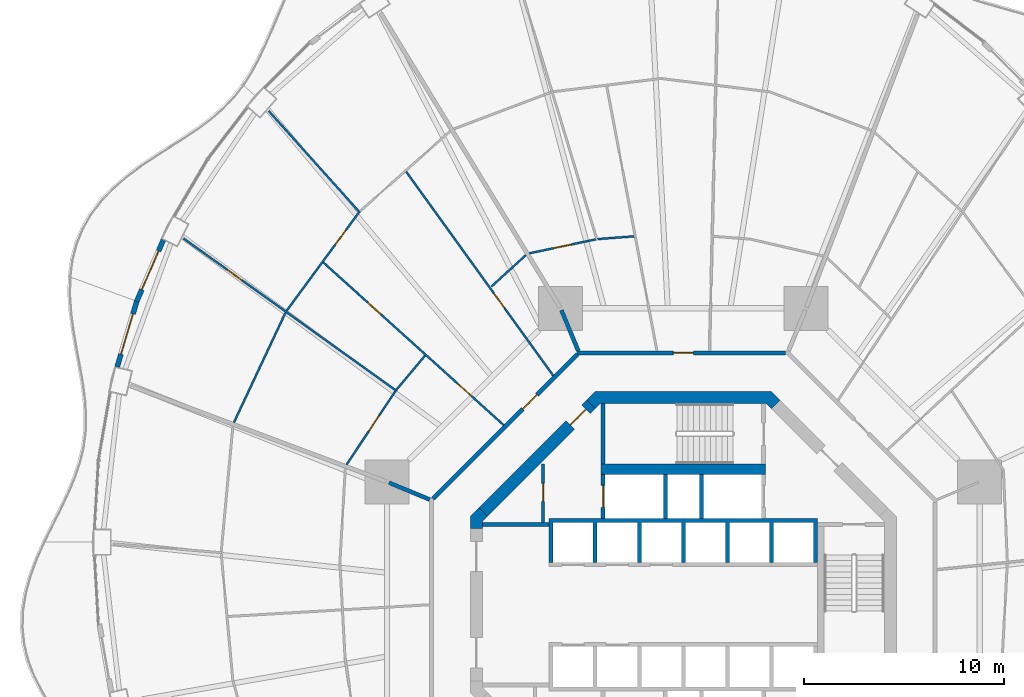
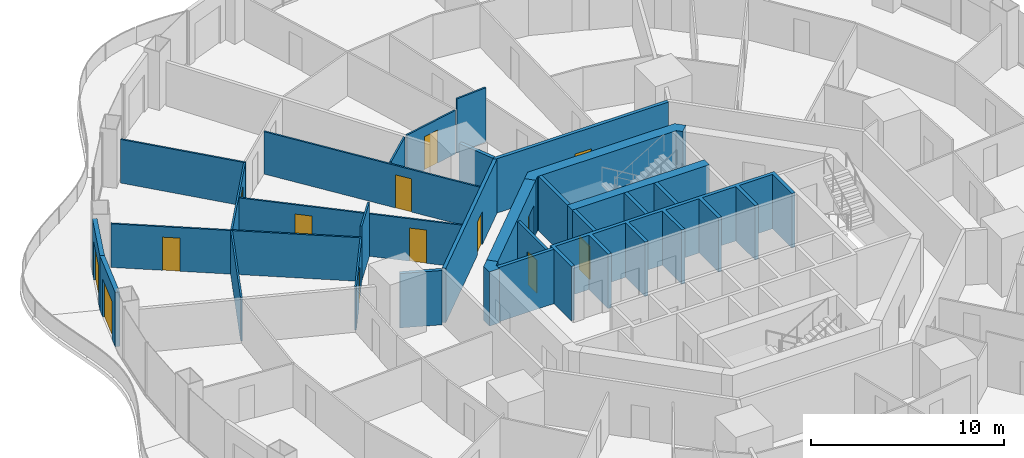
# One storey, part 17 of 22: 28 walls, 14 doors, 14 openings.
"""IFC4 building model written with IfcOpenShell, lengths in metres."""

import ifcopenshell
import ifcopenshell.guid

model = None  # the IFC model being written
_history = None  # IfcOwnerHistory: only IFC2X3 demands one
_inside = {}  # id of a spatial element -> (the spatial element, [elements in it])
_under = {}  # id of a project, library or spatial element -> (it, [spatial elements below it])
_declared = {}  # id of a project -> (the project, [libraries it declares])
_typed = {}  # id of a type object -> (the type object, [elements of that type])
_made_of = {}  # id of a material, layer set ... -> (it, [elements and type objects made of it])


def new_model(schema):
    """Start an empty IFC model of exactly this schema.

    Asked for "IFC4X3", IfcOpenShell would pick the latest addendum, in which some entities
    have other attributes; the version numbers below select the first issue.
    IFC2X3 requires an IfcOwnerHistory on every rooted entity: one is made here for all.
    """
    global model, _history
    if schema == "IFC4X3":
        model = ifcopenshell.file(schema_version=(4, 3, 0, 0))
    else:
        model = ifcopenshell.file(schema=schema)
    _inside.clear()
    _under.clear()
    _declared.clear()
    _typed.clear()
    _made_of.clear()
    _history = None
    if model.schema == "IFC2X3":
        org = make("IfcOrganization", Name="unknown")
        user = make(
            "IfcPersonAndOrganization",
            ThePerson=make("IfcPerson", FamilyName="unknown"),
            TheOrganization=org,
        )
        app = make(
            "IfcApplication",
            ApplicationDeveloper=org,
            Version="unknown",
            ApplicationFullName="unknown",
            ApplicationIdentifier="unknown",
        )
        _history = make(
            "IfcOwnerHistory",
            OwningUser=user,
            OwningApplication=app,
            ChangeAction="ADDED",
            CreationDate=0,
        )
    return model


def make(cls, **values):
    """One entity of the class cls with the attributes given. An attribute that is None is left unset."""
    return model.create_entity(
        cls, **{name: value for name, value in values.items() if value is not None}
    )


def rooted(cls, **values):
    """An entity with a GlobalId (a new one), such as an element, a storey or a relation."""
    return make(cls, GlobalId=ifcopenshell.guid.new(), OwnerHistory=_history, **values)


def si_unit(unit_type, name, prefix=None):
    """IfcSIUnit, for example si_unit("LENGTHUNIT", "METRE", prefix="MILLI")."""
    return make("IfcSIUnit", UnitType=unit_type, Prefix=prefix, Name=name)


def assignment(units):
    """IfcUnitAssignment: the units of a project."""
    return None if units is None else make("IfcUnitAssignment", Units=units)


def point(xyz):
    """IfcCartesianPoint."""
    return None if xyz is None else make("IfcCartesianPoint", Coordinates=xyz)


def direction(xyz):
    """IfcDirection."""
    return None if xyz is None else make("IfcDirection", DirectionRatios=xyz)


def frame(location, z_axis=None, x_axis=None):
    """IfcAxis2Placement3D, a coordinate frame: its origin and axes. An axis left out is left unset."""
    return make(
        "IfcAxis2Placement3D",
        Location=point(location),
        Axis=direction(z_axis),
        RefDirection=direction(x_axis),
    )


def frame_2d(location, x_axis=None):
    """IfcAxis2Placement2D, a coordinate frame in the plane: its origin and x axis."""
    return make(
        "IfcAxis2Placement2D", Location=point(location), RefDirection=direction(x_axis)
    )


def origin():
    """The frame at (0, 0, 0) with its axes left unset."""
    return frame((0.0, 0.0, 0.0))


def place(relative_to, where):
    """IfcLocalPlacement: puts the frame where relative to a parent placement (None: the world)."""
    return make(
        "IfcLocalPlacement", PlacementRelTo=relative_to, RelativePlacement=where
    )


def context(
    kind, dimensions, precision=None, world=None, true_north=None, identifier=None
):
    """IfcGeometricRepresentationContext, for example the 3D "Model" context."""
    return make(
        "IfcGeometricRepresentationContext",
        ContextIdentifier=identifier,
        ContextType=kind,
        CoordinateSpaceDimension=dimensions,
        Precision=precision,
        WorldCoordinateSystem=world,
        TrueNorth=true_north,
    )


def subcontext(parent, identifier, kind, view, scale=None):
    """IfcGeometricRepresentationSubContext, for example "Body" below "Model"."""
    return make(
        "IfcGeometricRepresentationSubContext",
        ContextIdentifier=identifier,
        ContextType=kind,
        ParentContext=parent,
        TargetScale=scale,
        TargetView=view,
    )


def project(units=None, contexts=None):
    """IfcProject with its units and contexts."""
    return rooted(
        "IfcProject",
        Name="project",
        RepresentationContexts=contexts,
        UnitsInContext=assignment(units),
    )


def spatial(cls, under=None, at=None, **own):
    """A site, building, storey or space (cls), placed at a placement, below another one or the project."""
    s = rooted(cls, ObjectPlacement=at, **own)
    if under is not None:
        _under.setdefault(under.id(), (under, []))[1].append(s)
    return s


def polyline(points):
    """IfcPolyline through the points."""
    return make("IfcPolyline", Points=[point(p) for p in points])


def profile(cls, at=None, kind="AREA", **sizes):
    """A parametric profile (cls). Its sizes go by their IFC names, for example OverallWidth=200.0."""
    return make(cls, ProfileType=kind, Position=at, **sizes)


def rectangle(**sizes):
    """IfcRectangleProfileDef."""
    return profile("IfcRectangleProfileDef", **sizes)


def outline(outer, holes=None, kind="AREA"):
    """IfcArbitraryClosedProfileDef: a profile drawn as a closed curve; with holes, ...WithVoids."""
    if holes is None:
        return make("IfcArbitraryClosedProfileDef", ProfileType=kind, OuterCurve=outer)
    return make(
        "IfcArbitraryProfileDefWithVoids",
        ProfileType=kind,
        OuterCurve=outer,
        InnerCurves=holes,
    )


def extrude(swept, where, along, depth):
    """IfcExtrudedAreaSolid: the profile swept, set in the frame where, extruded along a direction by depth."""
    return make(
        "IfcExtrudedAreaSolid",
        SweptArea=swept,
        Position=where,
        ExtrudedDirection=direction(along),
        Depth=depth,
    )


def shape(context_of_items, identifier, shape_type, items):
    """IfcShapeRepresentation: the items that make up one representation, for example the "Body"."""
    return make(
        "IfcShapeRepresentation",
        ContextOfItems=context_of_items,
        RepresentationIdentifier=identifier,
        RepresentationType=shape_type,
        Items=items,
    )


def material(Name=None, Category=None):
    """IfcMaterial."""
    return make("IfcMaterial", Name=Name, Category=Category)


def layer(
    of_material, thickness, ventilated=None, Name=None, Category=None, Priority=None
):
    """IfcMaterialLayer: one layer of a wall or slab, of a material (None: an air gap)."""
    return make(
        "IfcMaterialLayer",
        Material=of_material,
        LayerThickness=thickness,
        IsVentilated=ventilated,
        Name=Name,
        Category=Category,
        Priority=Priority,
    )


def layer_set(layers, Name=None):
    """IfcMaterialLayerSet."""
    return make("IfcMaterialLayerSet", MaterialLayers=layers, LayerSetName=Name)


def made_of(thing, what):
    """Note that an element or type object is made of a material, layer set ...; save() writes the relation."""
    if what is not None:
        _made_of.setdefault(what.id(), (what, []))[1].append(thing)
    return thing


def type_object(cls, material=None, **own):
    """A type object (cls), such as IfcWallType, which elements share."""
    return made_of(rooted(cls, **own), material)


def element(
    cls,
    number,
    at=None,
    inside=None,
    cuts=None,
    type_object=None,
    material=None,
    context=None,
    identifier="Body",
    shape_type=None,
    held_by="IfcProductDefinitionShape",
    body=None,
    shapes=None,
    **own,
):
    """One element of the class cls, such as IfcWall. Its Tag is "e" and its number.

    at: its placement. inside: the storey or other place that contains it. cuts: it is an
    opening in that element (IfcRelVoidsElement). A single representation is given by context,
    identifier, shape_type and body (its items); several are given by shapes. held_by: the class
    of the entity that holds the representations. save() writes the other relations.
    """
    e = rooted(cls, Tag="e%d" % number, ObjectPlacement=at, **own)
    if body is not None:
        shapes = [shape(context, identifier, shape_type, body)]
    if shapes is not None:
        e.Representation = make(held_by, Representations=shapes)
    if inside is not None:
        _inside.setdefault(inside.id(), (inside, []))[1].append(e)
    if cuts is not None:
        rooted(
            "IfcRelVoidsElement", RelatingBuildingElement=cuts, RelatedOpeningElement=e
        )
    if type_object is not None:
        _typed.setdefault(type_object.id(), (type_object, []))[1].append(e)
    return made_of(e, material)


def fill(opening, filler):
    """IfcRelFillsElement: the door or window that sits in an opening."""
    return rooted(
        "IfcRelFillsElement",
        RelatingOpeningElement=opening,
        RelatedBuildingElement=filler,
    )


def aggregate(whole, parts):
    """IfcRelAggregates: a whole, such as a stair, and the parts it consists of."""
    return rooted("IfcRelAggregates", RelatingObject=whole, RelatedObjects=parts)


def save(model, path):
    """Write the relations noted so far, then the file.

    IfcRelAggregates (storeys below a building ...), IfcRelContainedInSpatialStructure (elements
    in a storey), IfcRelDefinesByType, IfcRelAssociatesMaterial and IfcRelDeclares: one each for
    every whole, place, type object, material and project.
    """
    for whole, parts in _under.values():
        aggregate(whole, parts)
    for where, things in _inside.values():
        rooted(
            "IfcRelContainedInSpatialStructure",
            RelatedElements=things,
            RelatingStructure=where,
        )
    for kind, things in _typed.values():
        rooted("IfcRelDefinesByType", RelatedObjects=things, RelatingType=kind)
    for what, things in _made_of.values():
        rooted("IfcRelAssociatesMaterial", RelatedObjects=things, RelatingMaterial=what)
    for by, libraries in _declared.values():
        rooted("IfcRelDeclares", RelatingContext=by, RelatedDefinitions=libraries)
    model.write(path)


model = new_model("IFC4")

# Units and contexts
model_context = context("Model", 3, precision=1e-05, world=origin(), true_north=direction((0.0, 1.0)))
body_context = subcontext(model_context, "Body", "Model", "MODEL_VIEW")
ifc_project = project(units=[si_unit("LENGTHUNIT", "METRE"), si_unit("AREAUNIT", "SQUARE_METRE"), si_unit("VOLUMEUNIT", "CUBIC_METRE"), si_unit("PLANEANGLEUNIT", "RADIAN"), si_unit("MASSUNIT", "GRAM", prefix="KILO")], contexts=[model_context])

# Site, building, storey
site_placement = place(None, origin())
site = spatial("IfcSite", under=ifc_project, at=site_placement, CompositionType="ELEMENT")
building_placement = place(site_placement, origin())
building = spatial("IfcBuilding", under=site, at=building_placement, Name="Nagisa Residences", CompositionType="ELEMENT")
storey_placement = place(building_placement, frame((0.0, 0.0, 95.5)))
storey = spatial("IfcBuildingStorey", under=building, at=storey_placement, Name="L23", CompositionType="ELEMENT", Elevation=95.5)

# Walls
ifc_material_1 = material(Name="Gypsum board on steel studs", Category="steel")
ifc_layer_1 = layer(ifc_material_1, 0.199951171875)
ifc_layer_set_1 = layer_set([ifc_layer_1], Name="Apartment compartment wall EI60 200")
wall_type_1 = type_object("IfcWallType", Name="Apartment compartment wall EI60 200", PredefinedType="PARTITIONING", material=ifc_layer_set_1)
wall_1_placement = place(storey_placement, frame((-5.24267578125, 12.6572265625, 0.0), z_axis=(0.0, 0.0, 1.0), x_axis=(-0.38273085373, 0.923859888513, 0.0)))
element("IfcWall", 1, at=wall_1_placement, inside=storey, type_object=wall_type_1, Name="wall:L23:u02", PredefinedType="PARTITIONING", context=body_context, shape_type="SweptSolid", body=[
    extrude(rectangle(XDim=2.199462890625, YDim=0.199951171875, at=frame_2d((1.099609375, 0.0))), origin(), (0.0, 0.0, 1.0), 3.43994140625),
])
wall_2_placement = place(storey_placement, frame((-12.6572265625, 5.24267578125, 0.0), z_axis=(0.0, 0.0, 1.0), x_axis=(-0.923843626288, 0.382770106157, 0.0)))
element("IfcWall", 2, at=wall_2_placement, inside=storey, type_object=wall_type_1, Name="wall:L23:u04", PredefinedType="PARTITIONING", context=body_context, shape_type="SweptSolid", body=[
    extrude(rectangle(XDim=2.19921875, YDim=0.199951171875, at=frame_2d((1.099609375, 0.0))), origin(), (0.0, 0.0, 1.0), 3.43994140625),
])

# Wall, opening, door
ifc_material_2 = material(Name="Gypsum board on steel studs", Category="steel")
ifc_layer_2 = layer(ifc_material_2, 0.199951171875)
ifc_layer_set_2 = layer_set([ifc_layer_2], Name="Apartment entry wall EI60 200")
wall_type_2 = type_object("IfcWallType", Name="Apartment entry wall EI60 200", PredefinedType="PARTITIONING", material=ifc_layer_set_2)
wall_3_placement = place(storey_placement, frame((5.1044921875, 12.564697265625, 0.0), z_axis=(0.0, 0.0, 1.0), x_axis=(-1.0, 0.0, 0.0)))
wall_3 = element("IfcWall", 3, at=wall_3_placement, inside=storey, type_object=wall_type_2, Name="wall:L23:u12", PredefinedType="PARTITIONING", context=body_context, shape_type="SweptSolid", body=[
    extrude(rectangle(XDim=10.408935546875, YDim=0.199951171875, at=frame_2d((5.20458984375, 0.0))), origin(), (0.0, 0.0, 1.0), 3.43994140625),
])
opening_1_placement = place(wall_3_placement, frame((4.6044921875, 0.0, 0.0)))
opening_1 = element("IfcOpeningElement", 4, at=opening_1_placement, cuts=wall_3, Name="Opening L23-U41", PredefinedType="OPENING", context=body_context, shape_type="SweptSolid", body=[
    extrude(rectangle(XDim=1.0, YDim=2.10009765625, at=frame_2d((0.5, 1.050048828125))), frame((0.0, 0.10986328125, 0.0), z_axis=(0.0, -1.0, 0.0), x_axis=(1.0, 0.0, 0.0)), (0.0, 0.0, 1.0), 0.219970703125),
])
ifc_material_3 = material(Name="Timber fire door set", Category="wood")
door_type_1 = type_object("IfcDoorType", Name="Apartment entry door FD30S 1000x2100", OperationType="NOTDEFINED", PredefinedType="DOOR", material=ifc_material_3)
door_1_placement = place(opening_1_placement, frame((1.0, 0.0, 0.0), x_axis=(-1.0, 0.0, 0.0)))
door_1 = element("IfcDoor", 5, at=door_1_placement, inside=storey, type_object=door_type_1, Name="Entry door, Apartment 23D", OperationType="SINGLE_SWING_RIGHT", OverallHeight=2.10009765625, OverallWidth=1.0, PredefinedType="DOOR", context=body_context, shape_type="SweptSolid", body=[
    extrude(rectangle(XDim=1.0, YDim=2.10009765625, at=frame_2d((0.5, 1.050048828125))), frame((0.0, 0.02490234375, 0.0), z_axis=(0.0, -1.0, 0.0), x_axis=(1.0, 0.0, 0.0)), (0.0, 0.0, 1.0), 0.050048828125),
])
fill(opening_1, door_1)

wall_4_placement = place(storey_placement, frame((-5.275146484375, 12.494140625, 0.0), z_axis=(0.0, 0.0, 1.0), x_axis=(-0.707106781187, -0.707106781187, 0.0)))
wall_4 = element("IfcWall", 6, at=wall_4_placement, inside=storey, type_object=wall_type_2, Name="wall:L23:u13", PredefinedType="PARTITIONING", context=body_context, shape_type="SweptSolid", body=[
    extrude(rectangle(XDim=10.209228515625, YDim=0.199951171875, at=frame_2d((5.1044921875, 0.0))), origin(), (0.0, 0.0, 1.0), 3.43994140625),
])
opening_2_placement = place(wall_4_placement, frame((2.86962890625, 0.0, 0.0)))
opening_2 = element("IfcOpeningElement", 7, at=opening_2_placement, cuts=wall_4, Name="Opening L23-U50", PredefinedType="OPENING", context=body_context, shape_type="SweptSolid", body=[
    extrude(rectangle(XDim=1.0, YDim=2.10009765625, at=frame_2d((0.5, 1.050048828125))), frame((0.0, 0.10986328125, 0.0), z_axis=(0.0, -1.0, 0.0), x_axis=(1.0, 0.0, 0.0)), (0.0, 0.0, 1.0), 0.219970703125),
])
door_2_placement = place(opening_2_placement, frame((1.0, 0.0, 0.0), x_axis=(-1.0, 0.0, 0.0)))
door_2 = element("IfcDoor", 8, at=door_2_placement, inside=storey, type_object=door_type_1, Name="Entry door, Apartment 23E", OperationType="SINGLE_SWING_LEFT", OverallHeight=2.10009765625, OverallWidth=1.0, PredefinedType="DOOR", context=body_context, shape_type="SweptSolid", body=[
    extrude(rectangle(XDim=1.0, YDim=2.10009765625, at=frame_2d((0.5, 1.050048828125))), frame((0.0, 0.02490234375, 0.0), z_axis=(0.0, -1.0, 0.0), x_axis=(1.0, 0.0, 0.0)), (0.0, 0.0, 1.0), 0.050048828125),
])
fill(opening_2, door_2)

# Wall
ifc_material_4 = material(Name="Gypsum board on steel studs", Category="steel")
ifc_layer_3 = layer(ifc_material_4, 0.10009765625)
ifc_layer_set_3 = layer_set([ifc_layer_3], Name="Apartment partition 100")
wall_type_3 = type_object("IfcWallType", Name="Apartment partition 100", PredefinedType="PARTITIONING", material=ifc_layer_set_3)
wall_5_placement = place(storey_placement, frame((-2.453369140625, 18.374267578125, 0.0), z_axis=(0.0, 0.0, 1.0), x_axis=(-0.997153681897, -0.075395853197, 0.0)))
element("IfcWall", 9, at=wall_5_placement, inside=storey, type_object=wall_type_3, Name="wall:L23:u40", PredefinedType="PARTITIONING", context=body_context, shape_type="SweptSolid", body=[
    extrude(rectangle(XDim=1.822998046875, YDim=0.10009765625, at=frame_2d((0.91162109375, 0.0))), origin(), (0.0, 0.0, 1.0), 3.43994140625),
])

# Wall, opening, door
wall_6_placement = place(storey_placement, frame((-4.369873046875, 18.222900390625, 0.0), z_axis=(0.0, 0.0, 1.0), x_axis=(-0.978633053291, -0.205614559323, 0.0)))
wall_6 = element("IfcWall", 10, at=wall_6_placement, inside=storey, type_object=wall_type_3, Name="wall:L23:u42", PredefinedType="PARTITIONING", context=body_context, shape_type="SweptSolid", body=[
    extrude(rectangle(XDim=3.387451171875, YDim=0.10009765625, at=frame_2d((1.69384765625, 0.0))), origin(), (0.0, 0.0, 1.0), 2.761962890625),
])
opening_3_placement = place(wall_6_placement, frame((1.24365234375, 0.0, 0.0)))
opening_3 = element("IfcOpeningElement", 11, at=opening_3_placement, cuts=wall_6, Name="Opening L23-U46", PredefinedType="OPENING", context=body_context, shape_type="SweptSolid", body=[
    extrude(rectangle(XDim=0.89990234375, YDim=2.10009765625, at=frame_2d((0.449951171875, 1.050048828125))), frame((0.0, 0.06005859375, 0.0), z_axis=(0.0, -1.0, 0.0), x_axis=(1.0, 0.0, 0.0)), (0.0, 0.0, 1.0), 0.1201171875),
])
ifc_material_5 = material(Name="Timber door set", Category="wood")
door_type_2 = type_object("IfcDoorType", Name="Apartment door 900x2100", OperationType="NOTDEFINED", PredefinedType="DOOR", material=ifc_material_5)
door_3_placement = place(opening_3_placement, frame((0.89990234375, 0.0, 0.0), x_axis=(-1.0, 0.0, 0.0)))
door_3 = element("IfcDoor", 12, at=door_3_placement, inside=storey, type_object=door_type_2, Name="Door to kitchen, Apartment 23D", OperationType="SINGLE_SWING_LEFT", OverallHeight=2.10009765625, OverallWidth=0.89990234375, PredefinedType="DOOR", context=body_context, shape_type="SweptSolid", body=[
    extrude(rectangle(XDim=0.89990234375, YDim=2.10009765625, at=frame_2d((0.449951171875, 1.050048828125))), frame((0.0, 0.02490234375, 0.0), z_axis=(0.0, -1.0, 0.0), x_axis=(1.0, 0.0, 0.0)), (0.0, 0.0, 1.0), 0.050048828125),
])
fill(opening_3, door_3)

# Wall
wall_7_placement = place(storey_placement, frame((-7.856689453125, 17.438232421875, 0.0), z_axis=(0.0, 0.0, 1.0), x_axis=(-0.738883513135, -0.673833179665, 0.0)))
element("IfcWall", 13, at=wall_7_placement, inside=storey, type_object=wall_type_3, Name="wall:L23:u44", PredefinedType="PARTITIONING", context=body_context, shape_type="SweptSolid", body=[
    extrude(rectangle(XDim=2.3232421875, YDim=0.10009765625, at=frame_2d((1.16162109375, 0.0))), origin(), (0.0, 0.0, 1.0), 2.761962890625),
])

# Wall, opening, door
wall_8_placement = place(storey_placement, frame((-6.48974609375, 11.419189453125, 0.0), z_axis=(0.0, 0.0, 1.0), x_axis=(-0.584832823883, 0.811153849839, 0.0)))
wall_8 = element("IfcWall", 14, at=wall_8_placement, inside=storey, type_object=wall_type_3, Name="wall:L23:u46", PredefinedType="PARTITIONING", context=body_context, shape_type="SweptSolid", body=[
    extrude(rectangle(XDim=12.55322265625, YDim=0.10009765625, at=frame_2d((6.276611328125, 0.0))), origin(), (0.0, 0.0, 1.0), 2.68701171875),
])
opening_4_placement = place(wall_8_placement, frame((4.166015625, 0.0, 0.0)))
opening_4 = element("IfcOpeningElement", 15, at=opening_4_placement, cuts=wall_8, Name="Opening L23-U51", PredefinedType="OPENING", context=body_context, shape_type="SweptSolid", body=[
    extrude(rectangle(XDim=0.89990234375, YDim=2.10009765625, at=frame_2d((0.449951171875, 1.050048828125))), frame((0.0, 0.06005859375, 0.0), z_axis=(0.0, -1.0, 0.0), x_axis=(1.0, 0.0, 0.0)), (0.0, 0.0, 1.0), 0.1201171875),
])
door_4_placement = place(opening_4_placement, frame((0.89990234375, 0.0, 0.0), x_axis=(-1.0, 0.0, 0.0)))
door_4 = element("IfcDoor", 16, at=door_4_placement, inside=storey, type_object=door_type_2, Name="Door to family bathroom, Apartment 23E", OperationType="SINGLE_SWING_RIGHT", OverallHeight=2.10009765625, OverallWidth=0.89990234375, PredefinedType="DOOR", context=body_context, shape_type="SweptSolid", body=[
    extrude(rectangle(XDim=0.89990234375, YDim=2.10009765625, at=frame_2d((0.449951171875, 1.050048828125))), frame((0.0, 0.02490234375, 0.0), z_axis=(0.0, -1.0, 0.0), x_axis=(1.0, 0.0, 0.0)), (0.0, 0.0, 1.0), 0.050048828125),
])
fill(opening_4, door_4)

# Wall
wall_9_placement = place(storey_placement, frame((-16.13427734375, 19.554443359375, 0.0), z_axis=(0.0, 0.0, 1.0), x_axis=(-0.667985610263, 0.74417418961, 0.0)))
element("IfcWall", 17, at=wall_9_placement, inside=storey, type_object=wall_type_3, Name="wall:L23:u47", PredefinedType="PARTITIONING", context=body_context, shape_type="SweptSolid", body=[
    extrude(rectangle(XDim=6.809326171875, YDim=0.10009765625, at=frame_2d((3.40478515625, 0.0))), origin(), (0.0, 0.0, 1.0), 2.761962890625),
])

# Wall, opening, door
wall_10_placement = place(storey_placement, frame((-16.197265625, 19.55126953125, 0.0), z_axis=(0.0, 0.0, 1.0), x_axis=(-0.592391983588, -0.80564988536, 0.0)))
wall_10 = element("IfcWall", 18, at=wall_10_placement, inside=storey, type_object=wall_type_3, Name="wall:L23:u48", PredefinedType="PARTITIONING", context=body_context, shape_type="SweptSolid", body=[
    extrude(rectangle(XDim=6.080078125, YDim=0.10009765625, at=frame_2d((3.0400390625, 0.0))), origin(), (0.0, 0.0, 1.0), 2.761962890625),
])
opening_5_placement = place(wall_10_placement, frame((1.070068359375, 0.0, 0.0)))
opening_5 = element("IfcOpeningElement", 19, at=opening_5_placement, cuts=wall_10, Name="Opening L23-U56", PredefinedType="OPENING", context=body_context, shape_type="SweptSolid", body=[
    extrude(rectangle(XDim=0.89990234375, YDim=2.10009765625, at=frame_2d((0.449951171875, 1.050048828125))), frame((0.0, 0.06005859375, 0.0), z_axis=(0.0, -1.0, 0.0), x_axis=(1.0, 0.0, 0.0)), (0.0, 0.0, 1.0), 0.1201171875),
])
door_5_placement = place(opening_5_placement, frame((0.89990234375, 0.0, 0.0), x_axis=(-1.0, 0.0, 0.0)))
door_5 = element("IfcDoor", 20, at=door_5_placement, inside=storey, type_object=door_type_2, Name="Door to dining room, Apartment 23E", OperationType="SINGLE_SWING_LEFT", OverallHeight=2.10009765625, OverallWidth=0.89990234375, PredefinedType="DOOR", context=body_context, shape_type="SweptSolid", body=[
    extrude(rectangle(XDim=0.89990234375, YDim=2.10009765625, at=frame_2d((0.449951171875, 1.050048828125))), frame((0.0, 0.02490234375, 0.0), z_axis=(0.0, -1.0, 0.0), x_axis=(1.0, 0.0, 0.0)), (0.0, 0.0, 1.0), 0.050048828125),
])
fill(opening_5, door_5)

# Wall, openings, doors
wall_11_placement = place(storey_placement, frame((-8.958984375, 8.95166015625, 0.0), z_axis=(0.0, 0.0, 1.0), x_axis=(-0.742679904999, 0.669646592398, 0.0)))
wall_11 = element("IfcWall", 21, at=wall_11_placement, inside=storey, type_object=wall_type_3, Name="wall:L23:u49", PredefinedType="PARTITIONING", context=body_context, shape_type="SweptSolid", body=[
    extrude(rectangle(XDim=12.121337890625, YDim=0.10009765625, at=frame_2d((6.060546875, 0.0))), origin(), (0.0, 0.0, 1.0), 2.68701171875),
])
opening_6_placement = place(wall_11_placement, frame((2.172119140625, 0.0, 0.0)))
opening_6 = element("IfcOpeningElement", 22, at=opening_6_placement, cuts=wall_11, Name="Opening L23-U52", PredefinedType="OPENING", context=body_context, shape_type="SweptSolid", body=[
    extrude(rectangle(XDim=0.89990234375, YDim=2.10009765625, at=frame_2d((0.449951171875, 1.050048828125))), frame((0.0, 0.06005859375, 0.0), z_axis=(0.0, -1.0, 0.0), x_axis=(1.0, 0.0, 0.0)), (0.0, 0.0, 1.0), 0.1201171875),
])
opening_7_placement = place(wall_11_placement, frame((8.232666015625, 0.0, 0.0)))
opening_7 = element("IfcOpeningElement", 23, at=opening_7_placement, cuts=wall_11, Name="Opening L23-U53", PredefinedType="OPENING", context=body_context, shape_type="SweptSolid", body=[
    extrude(rectangle(XDim=0.89990234375, YDim=2.10009765625, at=frame_2d((0.449951171875, 1.050048828125))), frame((0.0, 0.06005859375, 0.0), z_axis=(0.0, -1.0, 0.0), x_axis=(1.0, 0.0, 0.0)), (0.0, 0.0, 1.0), 0.1201171875),
])
door_6_placement = place(opening_6_placement, origin())
door_6 = element("IfcDoor", 24, at=door_6_placement, inside=storey, type_object=door_type_2, Name="Door to store, Apartment 23E", OperationType="SINGLE_SWING_RIGHT", OverallHeight=2.10009765625, OverallWidth=0.89990234375, PredefinedType="DOOR", context=body_context, shape_type="SweptSolid", body=[
    extrude(rectangle(XDim=0.89990234375, YDim=2.10009765625, at=frame_2d((0.449951171875, 1.050048828125))), frame((0.0, 0.02490234375, 0.0), z_axis=(0.0, -1.0, 0.0), x_axis=(1.0, 0.0, 0.0)), (0.0, 0.0, 1.0), 0.050048828125),
])
fill(opening_6, door_6)
door_7_placement = place(opening_7_placement, origin())
door_7 = element("IfcDoor", 25, at=door_7_placement, inside=storey, type_object=door_type_2, Name="Door to family bathroom, Apartment 23E", OperationType="SINGLE_SWING_LEFT", OverallHeight=2.10009765625, OverallWidth=0.89990234375, PredefinedType="DOOR", context=body_context, shape_type="SweptSolid", body=[
    extrude(rectangle(XDim=0.89990234375, YDim=2.10009765625, at=frame_2d((0.449951171875, 1.050048828125))), frame((0.0, 0.02490234375, 0.0), z_axis=(0.0, -1.0, 0.0), x_axis=(1.0, 0.0, 0.0)), (0.0, 0.0, 1.0), 0.050048828125),
])
fill(opening_7, door_7)

# Wall
wall_12_placement = place(storey_placement, frame((-12.885498046875, 12.4248046875, 0.0), z_axis=(0.0, 0.0, 1.0), x_axis=(-0.642551826067, -0.766242227248, 0.0)))
element("IfcWall", 26, at=wall_12_placement, inside=storey, type_object=wall_type_3, Name="wall:L23:u50", PredefinedType="PARTITIONING", context=body_context, shape_type="SweptSolid", body=[
    extrude(rectangle(XDim=2.218505859375, YDim=0.10009765625, at=frame_2d((1.109375, 0.0))), origin(), (0.0, 0.0, 1.0), 3.43994140625),
])

# Wall, opening, door
wall_13_placement = place(storey_placement, frame((-14.302490234375, 10.657470703125, 0.0), z_axis=(0.0, 0.0, 1.0), x_axis=(-0.813183002698, 0.582008079087, 0.0)))
wall_13 = element("IfcWall", 27, at=wall_13_placement, inside=storey, type_object=wall_type_3, Name="wall:L23:u51", PredefinedType="PARTITIONING", context=body_context, shape_type="SweptSolid", body=[
    extrude(rectangle(XDim=13.074462890625, YDim=0.10009765625, at=frame_2d((6.537109375, 0.0))), origin(), (0.0, 0.0, 1.0), 2.761962890625),
])
opening_8_placement = place(wall_13_placement, frame((9.485107421875, 0.0, 0.0)))
opening_8 = element("IfcOpeningElement", 28, at=opening_8_placement, cuts=wall_13, Name="Opening L23-U57", PredefinedType="OPENING", context=body_context, shape_type="SweptSolid", body=[
    extrude(rectangle(XDim=0.89990234375, YDim=2.10009765625, at=frame_2d((0.449951171875, 1.050048828125))), frame((0.0, 0.06005859375, 0.0), z_axis=(0.0, -1.0, 0.0), x_axis=(1.0, 0.0, 0.0)), (0.0, 0.0, 1.0), 0.1201171875),
])
door_8_placement = place(opening_8_placement, origin())
door_8 = element("IfcDoor", 29, at=door_8_placement, inside=storey, type_object=door_type_2, Name="Door to living room, Apartment 23E", OperationType="SINGLE_SWING_LEFT", OverallHeight=2.10009765625, OverallWidth=0.89990234375, PredefinedType="DOOR", context=body_context, shape_type="SweptSolid", body=[
    extrude(rectangle(XDim=0.89990234375, YDim=2.10009765625, at=frame_2d((0.449951171875, 1.050048828125))), frame((0.0, 0.02490234375, 0.0), z_axis=(0.0, -1.0, 0.0), x_axis=(1.0, 0.0, 0.0)), (0.0, 0.0, 1.0), 0.050048828125),
])
fill(opening_8, door_8)

wall_14_placement = place(storey_placement, frame((-14.370849609375, 10.64501953125, 0.0), z_axis=(0.0, 0.0, 1.0), x_axis=(-0.553341009285, -0.832954817168, 0.0)))
wall_14 = element("IfcWall", 30, at=wall_14_placement, inside=storey, type_object=wall_type_3, Name="wall:L23:u52", PredefinedType="PARTITIONING", context=body_context, shape_type="SweptSolid", body=[
    extrude(rectangle(XDim=4.396240234375, YDim=0.10009765625, at=frame_2d((2.1982421875, 0.0))), origin(), (0.0, 0.0, 1.0), 2.761962890625),
])
opening_9_placement = place(wall_14_placement, frame((1.468505859375, 0.0, 0.0)))
opening_9 = element("IfcOpeningElement", 31, at=opening_9_placement, cuts=wall_14, Name="Opening L23-U54", PredefinedType="OPENING", context=body_context, shape_type="SweptSolid", body=[
    extrude(rectangle(XDim=0.89990234375, YDim=2.10009765625, at=frame_2d((0.449951171875, 1.050048828125))), frame((0.0, 0.06005859375, 0.0), z_axis=(0.0, -1.0, 0.0), x_axis=(1.0, 0.0, 0.0)), (0.0, 0.0, 1.0), 0.1201171875),
])
door_9_placement = place(opening_9_placement, frame((0.89990234375, 0.0, 0.0), x_axis=(-1.0, 0.0, 0.0)))
door_9 = element("IfcDoor", 32, at=door_9_placement, inside=storey, type_object=door_type_2, Name="Door to kitchen, Apartment 23E", OperationType="SINGLE_SWING_LEFT", OverallHeight=2.10009765625, OverallWidth=0.89990234375, PredefinedType="DOOR", context=body_context, shape_type="SweptSolid", body=[
    extrude(rectangle(XDim=0.89990234375, YDim=2.10009765625, at=frame_2d((0.449951171875, 1.050048828125))), frame((0.0, 0.02490234375, 0.0), z_axis=(0.0, -1.0, 0.0), x_axis=(1.0, 0.0, 0.0)), (0.0, 0.0, 1.0), 0.050048828125),
])
fill(opening_9, door_9)

# Wall
wall_15_placement = place(storey_placement, frame((-19.85009765625, 14.5673828125, 0.0), z_axis=(0.0, 0.0, 1.0), x_axis=(-0.424942210745, -0.905220480064, 0.0)))
element("IfcWall", 33, at=wall_15_placement, inside=storey, type_object=wall_type_3, Name="wall:L23:u53", PredefinedType="PARTITIONING", context=body_context, shape_type="SweptSolid", body=[
    extrude(rectangle(XDim=6.05322265625, YDim=0.10009765625, at=frame_2d((3.026611328125, 0.0))), origin(), (0.0, 0.0, 1.0), 2.761962890625),
])

# Wall, opening, door
ifc_material_6 = material(Name="Precast concrete C40/50", Category="concrete")
ifc_layer_4 = layer(ifc_material_6, 0.25)
ifc_layer_set_4 = layer_set([ifc_layer_4], Name="BALCONY DOOR WALL 250")
wall_type_4 = type_object("IfcWallType", Name="BALCONY DOOR WALL 250", PredefinedType="SOLIDWALL", material=ifc_layer_set_4)
wall_16_placement = place(storey_placement, frame((-27.272216796875, 15.128173828125, 0.0), z_axis=(0.0, 0.0, 1.0), x_axis=(0.397682447205, 0.917523117521, 0.0)))
wall_16 = element("IfcWall", 34, at=wall_16_placement, inside=storey, type_object=wall_type_4, Name="wall:L23:bay20", PredefinedType="SOLIDWALL", context=body_context, shape_type="SweptSolid", body=[
    extrude(rectangle(XDim=3.379638671875, YDim=0.25, at=frame_2d((1.68994140625, 0.0))), origin(), (0.0, 0.0, 1.0), 3.43994140625),
])
opening_10_placement = place(wall_16_placement, frame((0.6396484375, 0.0, 0.0)))
opening_10 = element("IfcOpeningElement", 35, at=opening_10_placement, cuts=wall_16, Name="Opening BD-L23-07", PredefinedType="OPENING", context=body_context, shape_type="SweptSolid", body=[
    extrude(rectangle(XDim=2.10009765625, YDim=2.39990234375, at=frame_2d((1.050048828125, 1.199951171875))), frame((0.0, 0.135009765625, 0.0), z_axis=(0.0, -1.0, 0.0), x_axis=(1.0, 0.0, 0.0)), (0.0, 0.0, 1.0), 0.27001953125),
])
ifc_material_7 = material(Name="Aluminium and clear glass", Category="aluminium")
door_type_3 = type_object("IfcDoorType", Name="BALCONY SLIDING DOOR 2100x2400", OperationType="SLIDING_TO_LEFT", PredefinedType="DOOR", material=ifc_material_7)
door_10_placement = place(opening_10_placement, origin())
door_10 = element("IfcDoor", 36, at=door_10_placement, inside=storey, type_object=door_type_3, Name="door:L23:bay20", OperationType="SLIDING_TO_LEFT", OverallHeight=2.39990234375, OverallWidth=2.10009765625, PredefinedType="DOOR", context=body_context, shape_type="SweptSolid", body=[
    extrude(rectangle(XDim=2.10009765625, YDim=2.39990234375, at=frame_2d((1.050048828125, 1.199951171875))), frame((0.0, 0.02490234375, 0.0), z_axis=(0.0, -1.0, 0.0), x_axis=(1.0, 0.0, 0.0)), (0.0, 0.0, 1.0), 0.050048828125),
])
fill(opening_10, door_10)

wall_17_placement = place(storey_placement, frame((-28.24560546875, 11.861572265625, 0.0), z_axis=(0.0, 0.0, 1.0), x_axis=(0.285816610469, 0.958284334203, 0.0)))
wall_17 = element("IfcWall", 37, at=wall_17_placement, inside=storey, type_object=wall_type_4, Name="wall:L23:bay21", PredefinedType="SOLIDWALL", context=body_context, shape_type="SweptSolid", body=[
    extrude(rectangle(XDim=3.423583984375, YDim=0.25, at=frame_2d((1.7119140625, 0.0))), origin(), (0.0, 0.0, 1.0), 3.43994140625),
])
opening_11_placement = place(wall_17_placement, frame((0.661865234375, 0.0, 0.0)))
opening_11 = element("IfcOpeningElement", 38, at=opening_11_placement, cuts=wall_17, Name="Opening BD-L23-08", PredefinedType="OPENING", context=body_context, shape_type="SweptSolid", body=[
    extrude(rectangle(XDim=2.10009765625, YDim=2.39990234375, at=frame_2d((1.050048828125, 1.199951171875))), frame((0.0, 0.135009765625, 0.0), z_axis=(0.0, -1.0, 0.0), x_axis=(1.0, 0.0, 0.0)), (0.0, 0.0, 1.0), 0.27001953125),
])
door_11_placement = place(opening_11_placement, origin())
door_11 = element("IfcDoor", 39, at=door_11_placement, inside=storey, type_object=door_type_3, Name="door:L23:bay21", OperationType="SLIDING_TO_LEFT", OverallHeight=2.39990234375, OverallWidth=2.10009765625, PredefinedType="DOOR", context=body_context, shape_type="SweptSolid", body=[
    extrude(rectangle(XDim=2.10009765625, YDim=2.39990234375, at=frame_2d((1.050048828125, 1.199951171875))), frame((0.0, 0.02490234375, 0.0), z_axis=(0.0, -1.0, 0.0), x_axis=(1.0, 0.0, 0.0)), (0.0, 0.0, 1.0), 0.050048828125),
])
fill(opening_11, door_11)

ifc_material_8 = material(Name="Gypsum board on steel studs", Category="steel")
ifc_layer_5 = layer(ifc_material_8, 0.14990234375)
ifc_layer_set_5 = layer_set([ifc_layer_5], Name="Core partition 150")
wall_type_5 = type_object("IfcWallType", Name="Core partition 150", PredefinedType="PARTITIONING", material=ifc_layer_set_5)
wall_18_placement = place(storey_placement, frame((-7.0, 4.10009765625, 0.0), z_axis=(0.0, 0.0, 1.0), x_axis=(0.0, 1.0, 0.0)))
wall_18 = element("IfcWall", 40, at=wall_18_placement, inside=storey, type_object=wall_type_5, Name="wall:L23:NWp", PredefinedType="PARTITIONING", context=body_context, shape_type="SweptSolid", body=[
    extrude(rectangle(XDim=2.9267578125, YDim=0.14990234375, at=frame_2d((1.46337890625, 0.0))), origin(), (0.0, 0.0, 1.0), 3.43994140625),
])
opening_12_placement = place(wall_18_placement, frame((1.051025390625, 0.0, 0.0)))
opening_12 = element("IfcOpeningElement", 41, at=opening_12_placement, cuts=wall_18, Name="Opening L23-C12", PredefinedType="OPENING", context=body_context, shape_type="SweptSolid", body=[
    extrude(rectangle(XDim=0.89990234375, YDim=2.10009765625, at=frame_2d((0.449951171875, 1.050048828125))), frame((0.0, 0.0849609375, 0.0), z_axis=(0.0, -1.0, 0.0), x_axis=(1.0, 0.0, 0.0)), (0.0, 0.0, 1.0), 0.169921875),
])
ifc_material_9 = material(Name="Steel fire door", Category="steel")
door_type_4 = type_object("IfcDoorType", Name="Fire door EI30 900x2100 single swing", OperationType="NOTDEFINED", PredefinedType="DOOR", material=ifc_material_9)
door_12_placement = place(opening_12_placement, origin())
door_12 = element("IfcDoor", 42, at=door_12_placement, inside=storey, type_object=door_type_4, Name="Hose reel room door L23", OperationType="SINGLE_SWING_LEFT", OverallHeight=2.10009765625, OverallWidth=0.89990234375, PredefinedType="DOOR", context=body_context, shape_type="SweptSolid", body=[
    extrude(rectangle(XDim=0.89990234375, YDim=2.10009765625, at=frame_2d((0.449951171875, 1.050048828125))), frame((0.0, 0.02490234375, 0.0), z_axis=(0.0, -1.0, 0.0), x_axis=(1.0, 0.0, 0.0)), (0.0, 0.0, 1.0), 0.050048828125),
])
fill(opening_12, door_12)

# Wall
ifc_material_10 = material(Name="Gypsum board on steel studs", Category="steel")
ifc_layer_6 = layer(ifc_material_10, 0.199951171875)
ifc_layer_set_6 = layer_set([ifc_layer_6], Name="Core partition 200")
wall_type_6 = type_object("IfcWallType", Name="Core partition 200", PredefinedType="PARTITIONING", material=ifc_layer_set_6)
wall_19_placement = place(storey_placement, frame((-10.024658203125, 4.0, 0.0), z_axis=(0.0, 0.0, 1.0), x_axis=(1.0, 0.0, 0.0)))
element("IfcWall", 43, at=wall_19_placement, inside=storey, type_object=wall_type_6, Name="wall:L23:PNW", PredefinedType="PARTITIONING", context=body_context, shape_type="SweptSolid", body=[
    extrude(rectangle(XDim=3.32470703125, YDim=0.199951171875, at=frame_2d((1.662353515625, 0.0))), origin(), (0.0, 0.0, 1.0), 3.43994140625),
])

# Wall, opening, door
ifc_material_11 = material(Name="Concrete C60", Category="concrete")
ifc_layer_7 = layer(ifc_material_11, 0.60009765625)
ifc_layer_set_7 = layer_set([ifc_layer_7], Name="Core shear wall 600")
wall_type_7 = type_object("IfcWallType", Name="Core shear wall 600", PredefinedType="SHEAR", material=ifc_layer_set_7)
wall_20_placement = place(storey_placement, frame((-4.613037109375, 9.98828125, 0.0), z_axis=(0.0, 0.0, 1.0), x_axis=(-0.707106781187, -0.707106781187, 0.0)))
wall_20 = element("IfcWall", 44, at=wall_20_placement, inside=storey, type_object=wall_type_7, Name="wall:L23:core:flat3", PredefinedType="SHEAR", context=body_context, shape_type="SweptSolid", body=[
    extrude(rectangle(XDim=7.601806640625, YDim=0.60009765625, at=frame_2d((3.80078125, 0.0))), origin(), (0.0, 0.0, 1.0), 3.43994140625),
])
opening_13_placement = place(wall_20_placement, frame((0.350830078125, 0.0, 0.0)))
opening_13 = element("IfcOpeningElement", 45, at=opening_13_placement, cuts=wall_20, Name="Opening L23-C19", PredefinedType="OPENING", context=body_context, shape_type="SweptSolid", body=[
    extrude(rectangle(XDim=1.10009765625, YDim=2.10009765625, at=frame_2d((0.550048828125, 1.050048828125))), frame((0.0, 0.31005859375, 0.0), z_axis=(0.0, -1.0, 0.0), x_axis=(1.0, 0.0, 0.0)), (0.0, 0.0, 1.0), 0.6201171875),
])
ifc_material_12 = material(Name="Steel fire door", Category="steel")
door_type_5 = type_object("IfcDoorType", Name="Fire door EI60 1100x2100 single swing", OperationType="NOTDEFINED", PredefinedType="DOOR", material=ifc_material_12)
door_13_placement = place(opening_13_placement, origin())
door_13 = element("IfcDoor", 46, at=door_13_placement, inside=storey, type_object=door_type_5, Name="Service lobby door L23", OperationType="SINGLE_SWING_RIGHT", OverallHeight=2.10009765625, OverallWidth=1.10009765625, PredefinedType="DOOR", context=body_context, shape_type="SweptSolid", body=[
    extrude(rectangle(XDim=1.10009765625, YDim=2.10009765625, at=frame_2d((0.550048828125, 1.050048828125))), frame((0.0, 0.02490234375, 0.0), z_axis=(0.0, -1.0, 0.0), x_axis=(1.0, 0.0, 0.0)), (0.0, 0.0, 1.0), 0.050048828125),
])
fill(opening_13, door_13)

# Walls
wall_21_placement = place(storey_placement, origin())
element("IfcWall", 47, at=wall_21_placement, inside=storey, type_object=wall_type_7, Name="wall:L23:core:pier3", PredefinedType="SHEAR", context=body_context, shape_type="SweptSolid", body=[
    extrude(outline(polyline([(-10.200439453125, 4.8251953125), (-9.776123046875, 4.40087890625), (-10.024658203125, 4.15234375), (-10.024658203125, 3.80078125), (-10.62451171875, 3.80078125), (-10.62451171875, 4.40087890625), (-10.200439453125, 4.8251953125)])), origin(), (0.0, 0.0, 1.0), 3.43994140625),
])
wall_22_placement = place(storey_placement, origin())
element("IfcWall", 48, at=wall_22_placement, inside=storey, type_object=wall_type_7, Name="wall:L23:core:flat2", PredefinedType="SHEAR", context=body_context, shape_type="SweptSolid", body=[
    extrude(outline(polyline([(-4.15234375, 10.024658203125), (-4.40087890625, 9.776123046875), (-4.8251953125, 10.200439453125), (-4.40087890625, 10.62451171875), (4.40087890625, 10.62451171875), (4.8251953125, 10.200439453125), (4.40087890625, 9.776123046875), (4.15234375, 10.024658203125), (-4.15234375, 10.024658203125)])), origin(), (0.0, 0.0, 1.0), 3.43994140625),
])

# Wall, opening, door
ifc_material_13 = material(Name="Concrete C60", Category="concrete")
ifc_layer_8 = layer(ifc_material_13, 0.199951171875)
ifc_layer_set_8 = layer_set([ifc_layer_8], Name="Lift shaft wall 200")
wall_type_8 = type_object("IfcWallType", Name="Lift shaft wall 200", PredefinedType="SOLIDWALL", material=ifc_layer_set_8)
wall_23_placement = place(storey_placement, frame((-4.0, 4.300048828125, 0.0), z_axis=(0.0, 0.0, 1.0), x_axis=(0.0, 1.0, 0.0)))
wall_23 = element("IfcWall", 49, at=wall_23_placement, inside=storey, type_object=wall_type_8, Name="wall:L23:Nb4", PredefinedType="SOLIDWALL", context=body_context, shape_type="SweptSolid", body=[
    extrude(rectangle(XDim=2.199951171875, YDim=0.199951171875, at=frame_2d((1.10009765625, 0.0))), origin(), (0.0, 0.0, 1.0), 3.43994140625),
])
opening_14_placement = place(wall_23_placement, frame((0.550048828125, 0.0, 0.0)))
opening_14 = element("IfcOpeningElement", 50, at=opening_14_placement, cuts=wall_23, Name="Opening L23-C08", PredefinedType="OPENING", context=body_context, shape_type="SweptSolid", body=[
    extrude(rectangle(XDim=1.10009765625, YDim=2.10009765625, at=frame_2d((0.550048828125, 1.050048828125))), frame((0.0, 0.10986328125, 0.0), z_axis=(0.0, -1.0, 0.0), x_axis=(1.0, 0.0, 0.0)), (0.0, 0.0, 1.0), 0.219970703125),
])
ifc_material_14 = material(Name="Stainless steel", Category="steel")
door_type_6 = type_object("IfcDoorType", Name="Lift landing door 1100x2100", OperationType="DOUBLE_DOOR_SLIDING", PredefinedType="DOOR", material=ifc_material_14)
door_14_placement = place(opening_14_placement, origin())
door_14 = element("IfcDoor", 51, at=door_14_placement, inside=storey, type_object=door_type_6, Name="Landing door SV L23", OperationType="DOUBLE_DOOR_SLIDING", OverallHeight=2.10009765625, OverallWidth=1.10009765625, PredefinedType="DOOR", context=body_context, shape_type="SweptSolid", body=[
    extrude(rectangle(XDim=1.10009765625, YDim=2.10009765625, at=frame_2d((0.550048828125, 1.050048828125))), frame((0.0, 0.02490234375, 0.0), z_axis=(0.0, -1.0, 0.0), x_axis=(1.0, 0.0, 0.0)), (0.0, 0.0, 1.0), 0.050048828125),
])
fill(opening_14, door_14)

# Walls
for number, where, z_axis, x_axis, name in (
    (52, (-0.89990234375, 4.300048828125, 0.0), (0.0, 0.0, 1.0), (0.0, 1.0, 0.0), "wall:L23:Nb1"),
    (53, (0.89990234375, 4.300048828125, 0.0), (0.0, 0.0, 1.0), (0.0, 1.0, 0.0), "wall:L23:Nb2"),
):
    element("IfcWall", number, at=place(storey_placement, frame(where, z_axis=z_axis, x_axis=x_axis)), inside=storey, type_object=wall_type_8, Name=name, PredefinedType="SOLIDWALL", context=body_context, shape_type="SweptSolid", body=[
        extrude(rectangle(XDim=2.199951171875, YDim=0.199951171875, at=frame_2d((1.10009765625, 0.0))), origin(), (0.0, 0.0, 1.0), 3.43994140625),
    ])
wall_24_placement = place(storey_placement, origin())
element("IfcWall", 54, at=wall_24_placement, inside=storey, type_object=wall_type_8, Name="wall:L23:Nback", PredefinedType="SOLIDWALL", context=body_context, shape_type="SweptSolid", body=[
    extrude(outline(polyline([(-6.5, 2.10009765625), (-6.699951171875, 2.10009765625), (-6.699951171875, 4.300048828125), (6.699951171875, 4.300048828125), (6.699951171875, 2.10009765625), (6.5, 2.10009765625), (6.5, 4.10009765625), (4.5, 4.10009765625), (4.5, 2.10009765625), (4.300048828125, 2.10009765625), (4.300048828125, 4.10009765625), (2.300048828125, 4.10009765625), (2.300048828125, 2.10009765625), (2.10009765625, 2.10009765625), (2.10009765625, 4.10009765625), (0.10009765625, 4.10009765625), (0.10009765625, 2.10009765625), (-0.10009765625, 2.10009765625), (-0.10009765625, 4.10009765625), (-2.10009765625, 4.10009765625), (-2.10009765625, 2.10009765625), (-2.300048828125, 2.10009765625), (-2.300048828125, 4.10009765625), (-4.300048828125, 4.10009765625), (-4.300048828125, 2.10009765625), (-4.5, 2.10009765625), (-4.5, 4.10009765625), (-6.5, 4.10009765625), (-6.5, 2.10009765625)])), origin(), (0.0, 0.0, 1.0), 3.43994140625),
])
ifc_material_15 = material(Name="Concrete C60", Category="concrete")
ifc_layer_9 = layer(ifc_material_15, 0.199951171875)
ifc_layer_set_9 = layer_set([ifc_layer_9], Name="Stair enclosure wall 200")
wall_type_9 = type_object("IfcWallType", Name="Stair enclosure wall 200", PredefinedType="SOLIDWALL", material=ifc_layer_set_9)
wall_25_placement = place(storey_placement, origin())
element("IfcWall", 55, at=wall_25_placement, inside=storey, type_object=wall_type_9, Name="wall:L23:SN_w", PredefinedType="SOLIDWALL", context=body_context, shape_type="SweptSolid", body=[
    extrude(outline(polyline([(-3.89990234375, 7.024658203125), (-4.10009765625, 7.024658203125), (-4.10009765625, 10.024658203125), (-3.89990234375, 10.024658203125), (-3.89990234375, 7.024658203125)])), origin(), (0.0, 0.0, 1.0), 3.43994140625),
])
wall_26_placement = place(storey_placement, origin())
element("IfcWall", 56, at=wall_26_placement, inside=storey, type_object=wall_type_9, Name="wall:L23:SN_s", PredefinedType="SOLIDWALL", context=body_context, shape_type="SweptSolid", body=[
    extrude(outline(polyline([(4.10009765625, 6.5), (-4.10009765625, 6.5), (-4.10009765625, 7.024658203125), (4.10009765625, 7.024658203125), (4.10009765625, 6.5)])), origin(), (0.0, 0.0, 1.0), 3.43994140625),
])

save(model, "model.ifc")
